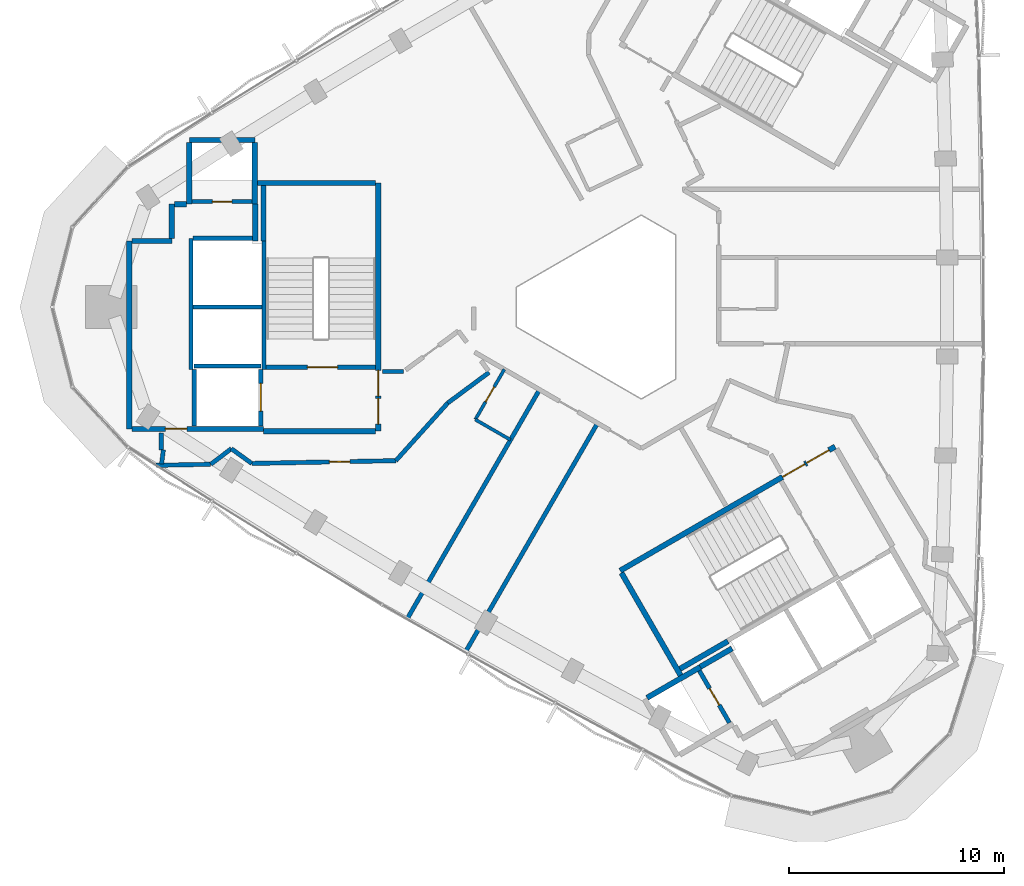
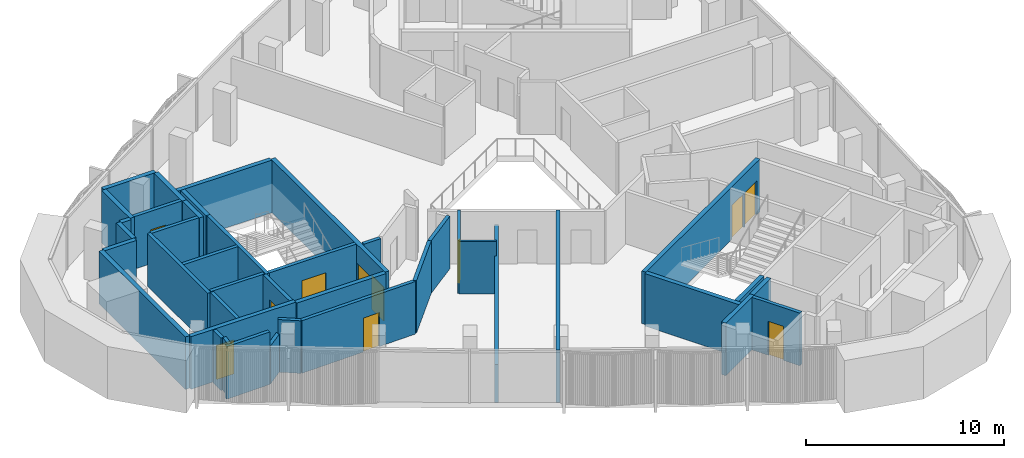
# One storey, part 6 of 12: 41 walls, 11 doors, 11 openings.
"""IFC4 building model written with IfcOpenShell, lengths in metres."""

from ifc_helpers import new_model, si_unit, direction, frame, frame_2d, origin, place, context, subcontext, project, spatial, rectangle, extrude, material, layer, layer_set, type_object, element, fill, save


model = new_model("IFC4")

# Units and contexts
model_context = context("Model", 3, precision=1e-05, world=origin(), true_north=direction((0.0, 1.0)))
body_context = subcontext(model_context, "Body", "Model", "MODEL_VIEW")
ifc_project = project(units=[si_unit("LENGTHUNIT", "METRE"), si_unit("AREAUNIT", "SQUARE_METRE"), si_unit("VOLUMEUNIT", "CUBIC_METRE"), si_unit("PLANEANGLEUNIT", "RADIAN"), si_unit("MASSUNIT", "GRAM", prefix="KILO")], contexts=[model_context])

# Site, building, storey
site_placement = place(None, origin())
site = spatial("IfcSite", under=ifc_project, at=site_placement, CompositionType="ELEMENT")
building_placement = place(site_placement, origin())
building = spatial("IfcBuilding", under=site, at=building_placement, Name="Tamra Quay Hotel Tower", CompositionType="ELEMENT")
storey_placement = place(building_placement, frame((0.0, 0.0, 269.39990234375)))
storey = spatial("IfcBuildingStorey", under=building, at=storey_placement, Name="L68", CompositionType="ELEMENT", Elevation=269.39990234375)

# Walls
ifc_material_1 = material(Name="Concrete M70", Category="concrete")
ifc_layer_1 = layer(ifc_material_1, 0.199951171875)
ifc_layer_set_1 = layer_set([ifc_layer_1], Name="Concrete M70 core wall 200")
wall_type_1 = type_object("IfcWallType", Name="Concrete M70 core wall 200", PredefinedType="SHEAR", material=ifc_layer_set_1)
wall_1_placement = place(storey_placement, frame((-16.162109375, 3.073974609375, 0.0), z_axis=(0.0, 0.0, 1.0), x_axis=(0.0, -1.0, 0.0)))
element("IfcWall", 1, at=wall_1_placement, inside=storey, type_object=wall_type_1, Name="CW2", PredefinedType="SHEAR", context=body_context, shape_type="SweptSolid", body=[
    extrude(rectangle(XDim=5.97412109375, YDim=0.199951171875, at=frame_2d((2.987060546875, 0.0))), origin(), (0.0, 0.0, 1.0), 3.25),
])
wall_2_placement = place(storey_placement, frame((-19.5625, -2.900146484375, 0.0), z_axis=(0.0, 0.0, 1.0), x_axis=(0.0, 1.0, 0.0)))
element("IfcWall", 2, at=wall_2_placement, inside=storey, type_object=wall_type_1, Name="CW2", PredefinedType="SHEAR", context=body_context, shape_type="SweptSolid", body=[
    extrude(rectangle(XDim=6.100341796875, YDim=0.199951171875, at=frame_2d((3.05029296875, 0.0))), origin(), (0.0, 0.0, 1.0), 3.25),
])

# Wall, opening, door
wall_3_placement = place(storey_placement, frame((-10.96337890625, -2.800048828125, 0.0), z_axis=(0.0, 0.0, 1.0), x_axis=(-1.0, 0.0, 0.0)))
wall_3 = element("IfcWall", 3, at=wall_3_placement, inside=storey, type_object=wall_type_1, Name="CW2", PredefinedType="SHEAR", context=body_context, shape_type="SweptSolid", body=[
    extrude(rectangle(XDim=5.097900390625, YDim=0.199951171875, at=frame_2d((2.548828125, 0.0))), origin(), (0.0, 0.0, 1.0), 3.25),
])
opening_1_placement = place(wall_3_placement, frame((1.77392578125, 0.0, 0.0)))
opening_1 = element("IfcOpeningElement", 4, at=opening_1_placement, cuts=wall_3, Name="Opening FD2", PredefinedType="OPENING", context=body_context, shape_type="SweptSolid", body=[
    extrude(rectangle(XDim=1.39990234375, YDim=2.10009765625, at=frame_2d((0.699951171875, 1.050048828125))), frame((0.0, 0.10986328125, 0.0), z_axis=(0.0, -1.0, 0.0), x_axis=(1.0, 0.0, 0.0)), (0.0, 0.0, 1.0), 0.219970703125),
])
ifc_material_2 = material(Name="Core door FD2 1400x2100 LH")
door_type_1 = type_object("IfcDoorType", Name="Core door FD2 1400x2100 LH", OperationType="NOTDEFINED", PredefinedType="DOOR", material=ifc_material_2)
door_1_placement = place(opening_1_placement, origin())
door_1 = element("IfcDoor", 5, at=door_1_placement, inside=storey, type_object=door_type_1, Name="FD2", OperationType="SINGLE_SWING_LEFT", OverallHeight=2.10009765625, OverallWidth=1.39990234375, PredefinedType="DOOR", context=body_context, shape_type="SweptSolid", body=[
    extrude(rectangle(XDim=1.39990234375, YDim=2.10009765625, at=frame_2d((0.699951171875, 1.050048828125))), frame((0.0, 0.02490234375, 0.0), z_axis=(0.0, -1.0, 0.0), x_axis=(1.0, 0.0, 0.0)), (0.0, 0.0, 1.0), 0.050048828125),
])
fill(opening_1, door_1)

# Wall
wall_4_placement = place(storey_placement, frame((-16.26318359375, 0.0, 0.0), z_axis=(0.0, 0.0, 1.0), x_axis=(-1.0, 0.0, 0.0)))
element("IfcWall", 6, at=wall_4_placement, inside=storey, type_object=wall_type_1, Name="CW2", PredefinedType="SHEAR", context=body_context, shape_type="SweptSolid", body=[
    extrude(rectangle(XDim=3.1982421875, YDim=0.199951171875, at=frame_2d((1.59912109375, 0.0))), origin(), (0.0, 0.0, 1.0), 3.25),
])

# Wall, opening, door
wall_5_placement = place(storey_placement, frame((-19.51123046875, 4.91015625, 0.0), z_axis=(0.0, 0.0, 1.0), x_axis=(1.0, 0.0, 0.0)))
wall_5 = element("IfcWall", 7, at=wall_5_placement, inside=storey, type_object=wall_type_1, Name="CW2", PredefinedType="SHEAR", context=body_context, shape_type="SweptSolid", body=[
    extrude(rectangle(XDim=2.7978515625, YDim=0.199951171875, at=frame_2d((1.39892578125, 0.0))), origin(), (0.0, 0.0, 1.0), 3.25),
])
opening_2_placement = place(wall_5_placement, frame((0.948974609375, 0.0, 0.0)))
opening_2 = element("IfcOpeningElement", 8, at=opening_2_placement, cuts=wall_5, Name="Opening D1", PredefinedType="OPENING", context=body_context, shape_type="SweptSolid", body=[
    extrude(rectangle(XDim=0.89990234375, YDim=2.10009765625, at=frame_2d((0.449951171875, 1.050048828125))), frame((0.0, 0.10986328125, 0.0), z_axis=(0.0, -1.0, 0.0), x_axis=(1.0, 0.0, 0.0)), (0.0, 0.0, 1.0), 0.219970703125),
])
ifc_material_3 = material(Name="Core door D1 900x2100 RH")
door_type_2 = type_object("IfcDoorType", Name="Core door D1 900x2100 RH", OperationType="NOTDEFINED", PredefinedType="DOOR", material=ifc_material_3)
door_2_placement = place(opening_2_placement, origin())
door_2 = element("IfcDoor", 9, at=door_2_placement, inside=storey, type_object=door_type_2, Name="D1", OperationType="SINGLE_SWING_RIGHT", OverallHeight=2.10009765625, OverallWidth=0.89990234375, PredefinedType="DOOR", context=body_context, shape_type="SweptSolid", body=[
    extrude(rectangle(XDim=0.89990234375, YDim=2.10009765625, at=frame_2d((0.449951171875, 1.050048828125))), frame((0.0, 0.02490234375, 0.0), z_axis=(0.0, -1.0, 0.0), x_axis=(1.0, 0.0, 0.0)), (0.0, 0.0, 1.0), 0.050048828125),
])
fill(opening_2, door_2)

# Walls
wall_6_placement = place(storey_placement, frame((-19.46240234375, 3.2001953125, 0.0), z_axis=(0.0, 0.0, 1.0), x_axis=(1.0, 0.0, 0.0)))
element("IfcWall", 10, at=wall_6_placement, inside=storey, type_object=wall_type_1, Name="CW2", PredefinedType="SHEAR", context=body_context, shape_type="SweptSolid", body=[
    extrude(rectangle(XDim=2.759033203125, YDim=0.199951171875, at=frame_2d((1.37939453125, 0.0))), origin(), (0.0, 0.0, 1.0), 3.25),
])
wall_7_placement = place(storey_placement, frame((-19.412353515625, -2.75, 0.0), z_axis=(0.0, 0.0, 1.0), x_axis=(1.0, 0.0, 0.0)))
element("IfcWall", 11, at=wall_7_placement, inside=storey, type_object=wall_type_1, Name="CW2", PredefinedType="SHEAR", context=body_context, shape_type="SweptSolid", body=[
    extrude(rectangle(XDim=3.10009765625, YDim=0.199951171875, at=frame_2d((1.550048828125, 0.0))), origin(), (0.0, 0.0, 1.0), 3.25),
])

# Wall, opening, door
wall_8_placement = place(storey_placement, frame((-16.312255859375, -2.898193359375, 0.0), z_axis=(0.0, 0.0, 1.0), x_axis=(0.0, -1.0, 0.0)))
wall_8 = element("IfcWall", 12, at=wall_8_placement, inside=storey, type_object=wall_type_1, Name="CW2", PredefinedType="SHEAR", context=body_context, shape_type="SweptSolid", body=[
    extrude(rectangle(XDim=2.65087890625, YDim=0.199951171875, at=frame_2d((1.325439453125, 0.0))), origin(), (0.0, 0.0, 1.0), 3.25),
])
opening_3_placement = place(wall_8_placement, frame((0.65185546875, 0.0, 0.0)))
opening_3 = element("IfcOpeningElement", 13, at=opening_3_placement, cuts=wall_8, Name="Opening LD", PredefinedType="OPENING", context=body_context, shape_type="SweptSolid", body=[
    extrude(rectangle(XDim=1.300048828125, YDim=2.10009765625, at=frame_2d((0.64990234375, 1.050048828125))), frame((0.0, 0.10986328125, 0.0), z_axis=(0.0, -1.0, 0.0), x_axis=(1.0, 0.0, 0.0)), (0.0, 0.0, 1.0), 0.219970703125),
])
ifc_material_4 = material(Name="Landing door LD 1300 sliding to left")
door_type_3 = type_object("IfcDoorType", Name="Landing door LD 1300 sliding to left", OperationType="NOTDEFINED", PredefinedType="DOOR", material=ifc_material_4)
door_3_placement = place(opening_3_placement, origin())
door_3 = element("IfcDoor", 14, at=door_3_placement, inside=storey, type_object=door_type_3, Name="LD", OperationType="SLIDING_TO_LEFT", OverallHeight=2.10009765625, OverallWidth=1.300048828125, PredefinedType="DOOR", context=body_context, shape_type="SweptSolid", body=[
    extrude(rectangle(XDim=1.300048828125, YDim=2.10009765625, at=frame_2d((0.64990234375, 1.050048828125))), frame((0.0, 0.02490234375, 0.0), z_axis=(0.0, -1.0, 0.0), x_axis=(1.0, 0.0, 0.0)), (0.0, 0.0, 1.0), 0.050048828125),
])
fill(opening_3, door_3)

# Wall
wall_9_placement = place(storey_placement, frame((-19.412353515625, -5.549072265625, 0.0), z_axis=(0.0, 0.0, 1.0), x_axis=(0.0, 1.0, 0.0)))
element("IfcWall", 15, at=wall_9_placement, inside=storey, type_object=wall_type_1, Name="CW2", PredefinedType="SHEAR", context=body_context, shape_type="SweptSolid", body=[
    extrude(rectangle(XDim=2.65087890625, YDim=0.199951171875, at=frame_2d((1.325439453125, 0.0))), origin(), (0.0, 0.0, 1.0), 3.25),
])

# Wall, opening, door
wall_10_placement = place(storey_placement, frame((5.50341796875, -19.352294921875, 0.0), z_axis=(0.0, 0.0, 1.0), x_axis=(-0.499986818241, 0.866033014143, 0.0)))
wall_10 = element("IfcWall", 16, at=wall_10_placement, inside=storey, type_object=wall_type_1, Name="CW2", PredefinedType="SHEAR", context=body_context, shape_type="SweptSolid", body=[
    extrude(rectangle(XDim=2.7978515625, YDim=0.199951171875, at=frame_2d((1.39892578125, 0.0))), origin(), (0.0, 0.0, 1.0), 3.25),
])
opening_4_placement = place(wall_10_placement, frame((0.948974609375, 0.0, 0.0)))
opening_4 = element("IfcOpeningElement", 17, at=opening_4_placement, cuts=wall_10, Name="Opening D1", PredefinedType="OPENING", context=body_context, shape_type="SweptSolid", body=[
    extrude(rectangle(XDim=0.89990234375, YDim=2.10009765625, at=frame_2d((0.449951171875, 1.050048828125))), frame((0.0, 0.10986328125, 0.0), z_axis=(0.0, -1.0, 0.0), x_axis=(1.0, 0.0, 0.0)), (0.0, 0.0, 1.0), 0.219970703125),
])
ifc_material_5 = material(Name="Core door D1 900x2100 LH")
door_type_4 = type_object("IfcDoorType", Name="Core door D1 900x2100 LH", OperationType="NOTDEFINED", PredefinedType="DOOR", material=ifc_material_5)
door_4_placement = place(opening_4_placement, origin())
door_4 = element("IfcDoor", 18, at=door_4_placement, inside=storey, type_object=door_type_4, Name="D1", OperationType="SINGLE_SWING_LEFT", OverallHeight=2.10009765625, OverallWidth=0.89990234375, PredefinedType="DOOR", context=body_context, shape_type="SweptSolid", body=[
    extrude(rectangle(XDim=0.89990234375, YDim=2.10009765625, at=frame_2d((0.449951171875, 1.050048828125))), frame((0.0, 0.02490234375, 0.0), z_axis=(0.0, -1.0, 0.0), x_axis=(1.0, 0.0, 0.0)), (0.0, 0.0, 1.0), 0.050048828125),
])
fill(opening_4, door_4)

# Wall, openings, doors
ifc_layer_2 = layer(ifc_material_1, 0.25)
ifc_layer_set_2 = layer_set([ifc_layer_2], Name="Concrete M70 core wall 250")
wall_type_2 = type_object("IfcWallType", Name="Concrete M70 core wall 250", PredefinedType="SHEAR", material=ifc_layer_set_2)
wall_11_placement = place(storey_placement, frame((-10.83740234375, 5.77490234375, 0.0), z_axis=(0.0, 0.0, 1.0), x_axis=(0.0, -1.0, 0.0)))
wall_11 = element("IfcWall", 19, at=wall_11_placement, inside=storey, type_object=wall_type_2, Name="CW1", PredefinedType="SHEAR", context=body_context, shape_type="SweptSolid", body=[
    extrude(rectangle(XDim=11.5498046875, YDim=0.25, at=frame_2d((5.77490234375, 0.0))), origin(), (0.0, 0.0, 1.0), 3.25),
])
opening_5_placement = place(wall_11_placement, frame((10.02490234375, 0.0, 0.0)))
opening_5 = element("IfcOpeningElement", 20, at=opening_5_placement, cuts=wall_11, Name="Opening FD1", PredefinedType="OPENING", context=body_context, shape_type="SweptSolid", body=[
    extrude(rectangle(XDim=1.199951171875, YDim=2.10009765625, at=frame_2d((0.60009765625, 1.050048828125))), frame((0.0, 0.135009765625, 0.0), z_axis=(0.0, -1.0, 0.0), x_axis=(1.0, 0.0, 0.0)), (0.0, 0.0, 1.0), 0.27001953125),
])
opening_6_placement = place(wall_11_placement, frame((8.72509765625, 0.0, 0.0)))
opening_6 = element("IfcOpeningElement", 21, at=opening_6_placement, cuts=wall_11, Name="Opening FD1", PredefinedType="OPENING", context=body_context, shape_type="SweptSolid", body=[
    extrude(rectangle(XDim=1.199951171875, YDim=2.10009765625, at=frame_2d((0.60009765625, 1.050048828125))), frame((0.0, 0.135009765625, 0.0), z_axis=(0.0, -1.0, 0.0), x_axis=(1.0, 0.0, 0.0)), (0.0, 0.0, 1.0), 0.27001953125),
])
ifc_material_6 = material(Name="Core door FD1 1200x2100 LH")
door_type_5 = type_object("IfcDoorType", Name="Core door FD1 1200x2100 LH", OperationType="NOTDEFINED", PredefinedType="DOOR", material=ifc_material_6)
door_5_placement = place(opening_5_placement, origin())
door_5 = element("IfcDoor", 22, at=door_5_placement, inside=storey, type_object=door_type_5, Name="FD1", OperationType="SINGLE_SWING_LEFT", OverallHeight=2.10009765625, OverallWidth=1.199951171875, PredefinedType="DOOR", context=body_context, shape_type="SweptSolid", body=[
    extrude(rectangle(XDim=1.199951171875, YDim=2.10009765625, at=frame_2d((0.60009765625, 1.050048828125))), frame((0.0, 0.02490234375, 0.0), z_axis=(0.0, -1.0, 0.0), x_axis=(1.0, 0.0, 0.0)), (0.0, 0.0, 1.0), 0.050048828125),
])
fill(opening_5, door_5)
ifc_material_7 = material(Name="Core door FD1 1200x2100 RH")
door_type_6 = type_object("IfcDoorType", Name="Core door FD1 1200x2100 RH", OperationType="NOTDEFINED", PredefinedType="DOOR", material=ifc_material_7)
door_6_placement = place(opening_6_placement, origin())
door_6 = element("IfcDoor", 23, at=door_6_placement, inside=storey, type_object=door_type_6, Name="FD1", OperationType="SINGLE_SWING_RIGHT", OverallHeight=2.10009765625, OverallWidth=1.199951171875, PredefinedType="DOOR", context=body_context, shape_type="SweptSolid", body=[
    extrude(rectangle(XDim=1.199951171875, YDim=2.10009765625, at=frame_2d((0.60009765625, 1.050048828125))), frame((0.0, 0.02490234375, 0.0), z_axis=(0.0, -1.0, 0.0), x_axis=(1.0, 0.0, 0.0)), (0.0, 0.0, 1.0), 0.050048828125),
])
fill(opening_6, door_6)

# Wall
wall_12_placement = place(storey_placement, frame((-22.437255859375, -5.675048828125, 0.0), z_axis=(0.0, 0.0, 1.0), x_axis=(0.0, 1.0, 0.0)))
element("IfcWall", 24, at=wall_12_placement, inside=storey, type_object=wall_type_2, Name="CW1", PredefinedType="SHEAR", context=body_context, shape_type="SweptSolid", body=[
    extrude(rectangle(XDim=8.75, YDim=0.25, at=frame_2d((4.375, 0.0))), origin(), (0.0, 0.0, 1.0), 3.25),
])

# Wall, opening, door
wall_13_placement = place(storey_placement, frame((-16.187255859375, -5.675048828125, 0.0), z_axis=(0.0, 0.0, 1.0), x_axis=(-1.0, 0.0, 0.0)))
wall_13 = element("IfcWall", 25, at=wall_13_placement, inside=storey, type_object=wall_type_2, Name="CW1", PredefinedType="SHEAR", context=body_context, shape_type="SweptSolid", body=[
    extrude(rectangle(XDim=6.12451171875, YDim=0.25, at=frame_2d((3.062255859375, 0.0))), origin(), (0.0, 0.0, 1.0), 3.25),
])
opening_7_placement = place(wall_13_placement, frame((3.562744140625, 0.0, 0.0)))
opening_7 = element("IfcOpeningElement", 26, at=opening_7_placement, cuts=wall_13, Name="Opening FD3", PredefinedType="OPENING", context=body_context, shape_type="SweptSolid", body=[
    extrude(rectangle(XDim=1.0, YDim=2.10009765625, at=frame_2d((0.5, 1.050048828125))), frame((0.0, 0.135009765625, 0.0), z_axis=(0.0, -1.0, 0.0), x_axis=(1.0, 0.0, 0.0)), (0.0, 0.0, 1.0), 0.27001953125),
])
ifc_material_8 = material(Name="Core door FD3 1000x2100 LH")
door_type_7 = type_object("IfcDoorType", Name="Core door FD3 1000x2100 LH", OperationType="NOTDEFINED", PredefinedType="DOOR", material=ifc_material_8)
door_7_placement = place(opening_7_placement, origin())
door_7 = element("IfcDoor", 27, at=door_7_placement, inside=storey, type_object=door_type_7, Name="FD3", OperationType="SINGLE_SWING_LEFT", OverallHeight=2.10009765625, OverallWidth=1.0, PredefinedType="DOOR", context=body_context, shape_type="SweptSolid", body=[
    extrude(rectangle(XDim=1.0, YDim=2.10009765625, at=frame_2d((0.5, 1.050048828125))), frame((0.0, 0.02490234375, 0.0), z_axis=(0.0, -1.0, 0.0), x_axis=(1.0, 0.0, 0.0)), (0.0, 0.0, 1.0), 0.050048828125),
])
fill(opening_7, door_7)

# Walls
wall_14_placement = place(storey_placement, frame((-10.962646484375, -5.77490234375, 0.0), z_axis=(0.0, 0.0, 1.0), x_axis=(-1.0, 0.0, 0.0)))
element("IfcWall", 28, at=wall_14_placement, inside=storey, type_object=wall_type_2, Name="CW1", PredefinedType="SHEAR", context=body_context, shape_type="SweptSolid", body=[
    extrude(rectangle(XDim=5.224609375, YDim=0.25, at=frame_2d((2.6123046875, 0.0))), origin(), (0.0, 0.0, 1.0), 3.25),
])
wall_15_placement = place(storey_placement, frame((-16.47216796875, 5.77490234375, 0.0), z_axis=(0.0, 0.0, 1.0), x_axis=(1.0, 0.0, 0.0)))
element("IfcWall", 29, at=wall_15_placement, inside=storey, type_object=wall_type_2, Name="CW1", PredefinedType="SHEAR", context=body_context, shape_type="SweptSolid", body=[
    extrude(rectangle(XDim=5.509521484375, YDim=0.25, at=frame_2d((2.7548828125, 0.0))), origin(), (0.0, 0.0, 1.0), 3.25),
])
wall_16_placement = place(storey_placement, frame((-19.63720703125, 7.77490234375, 0.0), z_axis=(0.0, 0.0, 1.0), x_axis=(1.0, 0.0, 0.0)))
element("IfcWall", 30, at=wall_16_placement, inside=storey, type_object=wall_type_2, Name="CW1", PredefinedType="SHEAR", context=body_context, shape_type="SweptSolid", body=[
    extrude(rectangle(XDim=3.0498046875, YDim=0.25, at=frame_2d((1.52490234375, 0.0))), origin(), (0.0, 0.0, 1.0), 3.25),
])
for number, where, z_axis, x_axis, name in (
    (31, (-16.58740234375, 7.649658203125, 0.0), (0.0, 0.0, 1.0), (0.0, -1.0, 0.0), "CW1"),
    (32, (-19.63720703125, 4.784912109375, 0.0), (0.0, 0.0, 1.0), (0.0, 1.0, 0.0), "CW1"),
):
    element("IfcWall", number, at=place(storey_placement, frame(where, z_axis=z_axis, x_axis=x_axis)), inside=storey, type_object=wall_type_2, Name=name, PredefinedType="SHEAR", context=body_context, shape_type="SweptSolid", body=[
        extrude(rectangle(XDim=2.86474609375, YDim=0.25, at=frame_2d((1.432373046875, 0.0))), origin(), (0.0, 0.0, 1.0), 3.25),
    ])
wall_17_placement = place(storey_placement, frame((-16.187255859375, 3.074951171875, 0.0), z_axis=(0.0, 0.0, 1.0), x_axis=(0.0, 1.0, 0.0)))
element("IfcWall", 33, at=wall_17_placement, inside=storey, type_object=wall_type_2, Name="CW1", PredefinedType="SHEAR", context=body_context, shape_type="SweptSolid", body=[
    extrude(rectangle(XDim=2.57470703125, YDim=0.25, at=frame_2d((1.287353515625, 0.0))), origin(), (0.0, 0.0, 1.0), 3.25),
])
wall_18_placement = place(storey_placement, frame((-22.311767578125, 3.074951171875, 0.0), z_axis=(0.0, 0.0, 1.0), x_axis=(1.0, 0.0, 0.0)))
element("IfcWall", 34, at=wall_18_placement, inside=storey, type_object=wall_type_2, Name="CW1", PredefinedType="SHEAR", context=body_context, shape_type="SweptSolid", body=[
    extrude(rectangle(XDim=1.864501953125, YDim=0.25, at=frame_2d((0.93212890625, 0.0))), origin(), (0.0, 0.0, 1.0), 3.25),
])
wall_19_placement = place(storey_placement, frame((-16.577392578125, 4.784912109375, 0.0), z_axis=(0.0, 0.0, 1.0), x_axis=(0.0, -1.0, 0.0)))
element("IfcWall", 35, at=wall_19_placement, inside=storey, type_object=wall_type_2, Name="CW1", PredefinedType="SHEAR", context=body_context, shape_type="SweptSolid", body=[
    extrude(rectangle(XDim=1.7099609375, YDim=0.25, at=frame_2d((0.85498046875, 0.0))), origin(), (0.0, 0.0, 1.0), 3.25),
])
wall_20_placement = place(storey_placement, frame((-20.447265625, 3.200439453125, 0.0), z_axis=(0.0, 0.0, 1.0), x_axis=(0.0, 1.0, 0.0)))
element("IfcWall", 36, at=wall_20_placement, inside=storey, type_object=wall_type_2, Name="CW1", PredefinedType="SHEAR", context=body_context, shape_type="SweptSolid", body=[
    extrude(rectangle(XDim=1.58447265625, YDim=0.25, at=frame_2d((0.792236328125, 0.0))), origin(), (0.0, 0.0, 1.0), 3.25),
])
wall_21_placement = place(storey_placement, frame((-20.32177734375, 4.784912109375, 0.0), z_axis=(0.0, 0.0, 1.0), x_axis=(1.0, 0.0, 0.0)))
element("IfcWall", 37, at=wall_21_placement, inside=storey, type_object=wall_type_2, Name="CW1", PredefinedType="SHEAR", context=body_context, shape_type="SweptSolid", body=[
    extrude(rectangle(XDim=0.55908203125, YDim=0.25, at=frame_2d((0.279541015625, 0.0))), origin(), (0.0, 0.0, 1.0), 3.25),
])

# Wall, openings, doors
wall_22_placement = place(storey_placement, frame((0.417236328125, -12.27294921875, 0.0), z_axis=(0.0, 0.0, 1.0), x_axis=(0.866021906294, 0.500006057782, 0.0)))
wall_22 = element("IfcWall", 38, at=wall_22_placement, inside=storey, type_object=wall_type_2, Name="CW1", PredefinedType="SHEAR", context=body_context, shape_type="SweptSolid", body=[
    extrude(rectangle(XDim=11.550048828125, YDim=0.25, at=frame_2d((5.77490234375, 0.0))), origin(), (0.0, 0.0, 1.0), 3.25),
])
opening_8_placement = place(wall_22_placement, frame((10.024658203125, 0.0, 0.0)))
opening_8 = element("IfcOpeningElement", 39, at=opening_8_placement, cuts=wall_22, Name="Opening FD1", PredefinedType="OPENING", context=body_context, shape_type="SweptSolid", body=[
    extrude(rectangle(XDim=1.199951171875, YDim=2.10009765625, at=frame_2d((0.60009765625, 1.050048828125))), frame((0.0, 0.135009765625, 0.0), z_axis=(0.0, -1.0, 0.0), x_axis=(1.0, 0.0, 0.0)), (0.0, 0.0, 1.0), 0.27001953125),
])
opening_9_placement = place(wall_22_placement, frame((8.724609375, 0.0, 0.0)))
opening_9 = element("IfcOpeningElement", 40, at=opening_9_placement, cuts=wall_22, Name="Opening FD1", PredefinedType="OPENING", context=body_context, shape_type="SweptSolid", body=[
    extrude(rectangle(XDim=1.199951171875, YDim=2.10009765625, at=frame_2d((0.60009765625, 1.050048828125))), frame((0.0, 0.135009765625, 0.0), z_axis=(0.0, -1.0, 0.0), x_axis=(1.0, 0.0, 0.0)), (0.0, 0.0, 1.0), 0.27001953125),
])
door_8_placement = place(opening_8_placement, origin())
door_8 = element("IfcDoor", 41, at=door_8_placement, inside=storey, type_object=door_type_5, Name="FD1", OperationType="SINGLE_SWING_LEFT", OverallHeight=2.10009765625, OverallWidth=1.199951171875, PredefinedType="DOOR", context=body_context, shape_type="SweptSolid", body=[
    extrude(rectangle(XDim=1.199951171875, YDim=2.10009765625, at=frame_2d((0.60009765625, 1.050048828125))), frame((0.0, 0.02490234375, 0.0), z_axis=(0.0, -1.0, 0.0), x_axis=(1.0, 0.0, 0.0)), (0.0, 0.0, 1.0), 0.050048828125),
])
fill(opening_8, door_8)
door_9_placement = place(opening_9_placement, origin())
door_9 = element("IfcDoor", 42, at=door_9_placement, inside=storey, type_object=door_type_6, Name="FD1", OperationType="SINGLE_SWING_RIGHT", OverallHeight=2.10009765625, OverallWidth=1.199951171875, PredefinedType="DOOR", context=body_context, shape_type="SweptSolid", body=[
    extrude(rectangle(XDim=1.199951171875, YDim=2.10009765625, at=frame_2d((0.60009765625, 1.050048828125))), frame((0.0, 0.02490234375, 0.0), z_axis=(0.0, -1.0, 0.0), x_axis=(1.0, 0.0, 0.0)), (0.0, 0.0, 1.0), 0.050048828125),
])
fill(opening_9, door_9)

# Walls
wall_23_placement = place(storey_placement, frame((3.23486328125, -17.15283203125, 0.0), z_axis=(0.0, 0.0, 1.0), x_axis=(-0.500008851346, 0.866020293397, 0.0)))
element("IfcWall", 43, at=wall_23_placement, inside=storey, type_object=wall_type_2, Name="CW1", PredefinedType="SHEAR", context=body_context, shape_type="SweptSolid", body=[
    extrude(rectangle(XDim=5.509765625, YDim=0.25, at=frame_2d((2.7548828125, 0.0))), origin(), (0.0, 0.0, 1.0), 3.25),
])
wall_24_placement = place(storey_placement, frame((1.6689453125, -18.189697265625, 0.0), z_axis=(0.0, 0.0, 1.0), x_axis=(0.866042235819, 0.499970844928, 0.0)))
element("IfcWall", 44, at=wall_24_placement, inside=storey, type_object=wall_type_2, Name="CW1", PredefinedType="SHEAR", context=body_context, shape_type="SweptSolid", body=[
    extrude(rectangle(XDim=2.864501953125, YDim=0.25, at=frame_2d((1.43212890625, 0.0))), origin(), (0.0, 0.0, 1.0), 3.25),
])
wall_25_placement = place(storey_placement, frame((5.4306640625, -15.55615234375, 0.0), z_axis=(0.0, 0.0, 1.0), x_axis=(-0.866022940537, -0.500004266446, 0.0)))
element("IfcWall", 45, at=wall_25_placement, inside=storey, type_object=wall_type_2, Name="CW1", PredefinedType="SHEAR", context=body_context, shape_type="SweptSolid", body=[
    extrude(rectangle(XDim=2.57470703125, YDim=0.25, at=frame_2d((1.287353515625, 0.0))), origin(), (0.0, 0.0, 1.0), 3.25),
])
wall_26_placement = place(storey_placement, frame((4.144775390625, -16.748779296875, 0.0), z_axis=(0.0, 0.0, 1.0), x_axis=(0.866038183914, 0.499977863513, 0.0)))
element("IfcWall", 46, at=wall_26_placement, inside=storey, type_object=wall_type_2, Name="CW1", PredefinedType="SHEAR", context=body_context, shape_type="SweptSolid", body=[
    extrude(rectangle(XDim=1.7099609375, YDim=0.25, at=frame_2d((0.85498046875, 0.0))), origin(), (0.0, 0.0, 1.0), 3.25),
])
ifc_material_9 = material(Name="Partition corridor wall")
ifc_layer_3 = layer(ifc_material_9, 0.199951171875)
ifc_layer_set_3 = layer_set([ifc_layer_3], Name="Partition corridor wall")
wall_type_3 = type_object("IfcWallType", Name="Partition corridor wall", PredefinedType="PARTITIONING", material=ifc_layer_set_3)
wall_27_placement = place(storey_placement, frame((-20.949951171875, -6.64990234375, 0.0), z_axis=(0.0, 0.0, 1.0), x_axis=(0.0, 1.0, 0.0)))
element("IfcWall", 47, at=wall_27_placement, inside=storey, type_object=wall_type_3, Name="W-C", PredefinedType="PARTITIONING", context=body_context, shape_type="SweptSolid", body=[
    extrude(rectangle(XDim=0.789794921875, YDim=0.199951171875, at=frame_2d((0.39501953125, 0.0))), origin(), (0.0, 0.0, 1.0), 3.25),
])
wall_28_placement = place(storey_placement, frame((-20.928955078125, -7.305908203125, 0.0), z_axis=(0.0, 0.0, 1.0), x_axis=(0.125534186853, 0.992089294334, 0.0)))
element("IfcWall", 48, at=wall_28_placement, inside=storey, type_object=wall_type_3, Name="W-C", PredefinedType="PARTITIONING", context=body_context, shape_type="SweptSolid", body=[
    extrude(rectangle(XDim=0.6611328125, YDim=0.199951171875, at=frame_2d((0.33056640625, 0.0))), origin(), (0.0, 0.0, 1.0), 3.25),
])
wall_29_placement = place(storey_placement, frame((-21.177001953125, -7.368896484375, 0.0), z_axis=(0.0, 0.0, 1.0), x_axis=(0.999808930271, 0.019547453804, 0.0)))
element("IfcWall", 49, at=wall_29_placement, inside=storey, type_object=wall_type_3, Name="W-C", PredefinedType="PARTITIONING", context=body_context, shape_type="SweptSolid", body=[
    extrude(rectangle(XDim=2.535400390625, YDim=0.199951171875, at=frame_2d((1.267578125, 0.0))), origin(), (0.0, 0.0, 1.0), 3.25),
])
wall_30_placement = place(storey_placement, frame((-18.64208984375, -7.319091796875, 0.0), z_axis=(0.0, 0.0, 1.0), x_axis=(0.798707882989, 0.601718968998, 0.0)))
element("IfcWall", 50, at=wall_30_placement, inside=storey, type_object=wall_type_3, Name="W-C", PredefinedType="PARTITIONING", context=body_context, shape_type="SweptSolid", body=[
    extrude(rectangle(XDim=1.203369140625, YDim=0.199951171875, at=frame_2d((0.6015625, 0.0))), origin(), (0.0, 0.0, 1.0), 2.35009765625),
])
wall_31_placement = place(storey_placement, frame((-17.680908203125, -6.594970703125, 0.0), z_axis=(0.0, 0.0, 1.0), x_axis=(0.810123213102, -0.586259652026, 0.0)))
element("IfcWall", 51, at=wall_31_placement, inside=storey, type_object=wall_type_3, Name="W-C", PredefinedType="PARTITIONING", context=body_context, shape_type="SweptSolid", body=[
    extrude(rectangle(XDim=1.170166015625, YDim=0.199951171875, at=frame_2d((0.5849609375, 0.0))), origin(), (0.0, 0.0, 1.0), 3.25),
])

# Wall, opening, door
wall_32_placement = place(storey_placement, frame((-16.73193359375, -7.281982421875, 0.0), z_axis=(0.0, 0.0, 1.0), x_axis=(0.999809119854, 0.019537754635, 0.0)))
wall_32 = element("IfcWall", 52, at=wall_32_placement, inside=storey, type_object=wall_type_3, Name="W-C", PredefinedType="PARTITIONING", context=body_context, shape_type="SweptSolid", body=[
    extrude(rectangle(XDim=6.710205078125, YDim=0.199951171875, at=frame_2d((3.35498046875, 0.0))), origin(), (0.0, 0.0, 1.0), 3.25),
])
opening_10_placement = place(wall_32_placement, frame((3.619384765625, 0.0, 0.0)))
opening_10 = element("IfcOpeningElement", 53, at=opening_10_placement, cuts=wall_32, Name="Opening L68-D011", PredefinedType="OPENING", context=body_context, shape_type="SweptSolid", body=[
    extrude(rectangle(XDim=0.949951171875, YDim=2.10009765625, at=frame_2d((0.47509765625, 1.050048828125))), frame((0.0, 0.10986328125, 0.0), z_axis=(0.0, -1.0, 0.0), x_axis=(1.0, 0.0, 0.0)), (0.0, 0.0, 1.0), 0.219970703125),
])
ifc_material_10 = material(Name="Door guest room 950x2100")
door_type_8 = type_object("IfcDoorType", Name="Door guest room 950x2100", OperationType="NOTDEFINED", PredefinedType="DOOR", material=ifc_material_10)
door_10_placement = place(opening_10_placement, frame((0.949951171875, 0.0, 0.0), z_axis=(0.0, 0.0, 1.0), x_axis=(-1.0, 0.0, 0.0)))
door_10 = element("IfcDoor", 54, at=door_10_placement, inside=storey, type_object=door_type_8, Name="L68-D011", OperationType="SINGLE_SWING_LEFT", OverallHeight=2.10009765625, OverallWidth=0.949951171875, PredefinedType="DOOR", context=body_context, shape_type="SweptSolid", body=[
    extrude(rectangle(XDim=0.949951171875, YDim=2.10009765625, at=frame_2d((0.47509765625, 1.050048828125))), frame((0.0, 0.02490234375, 0.0), z_axis=(0.0, -1.0, 0.0), x_axis=(1.0, 0.0, 0.0)), (0.0, 0.0, 1.0), 0.050048828125),
])
fill(opening_10, door_10)

# Walls
wall_33_placement = place(storey_placement, frame((-10.65234375, -3.0, 0.0), z_axis=(0.0, 0.0, 1.0), x_axis=(1.0, 0.0, 0.0)))
element("IfcWall", 55, at=wall_33_placement, inside=storey, type_object=wall_type_3, Name="W-C", PredefinedType="PARTITIONING", context=body_context, shape_type="SweptSolid", body=[
    extrude(rectangle(XDim=0.994384765625, YDim=0.199951171875, at=frame_2d((0.4970703125, 0.0))), origin(), (0.0, 0.0, 1.0), 3.25),
])
wall_34_placement = place(storey_placement, frame((-10.02294921875, -7.15087890625, 0.0), z_axis=(0.0, 0.0, 1.0), x_axis=(0.668886243279, 0.743364778256, 0.0)))
element("IfcWall", 56, at=wall_34_placement, inside=storey, type_object=wall_type_3, Name="W-C", PredefinedType="PARTITIONING", context=body_context, shape_type="SweptSolid", body=[
    extrude(rectangle(XDim=3.609130859375, YDim=0.199951171875, at=frame_2d((1.8046875, 0.0))), origin(), (0.0, 0.0, 1.0), 3.25),
])
wall_35_placement = place(storey_placement, frame((-7.60888671875, -4.468017578125, 0.0), z_axis=(0.0, 0.0, 1.0), x_axis=(0.803414413351, 0.595420255298, 0.0)))
element("IfcWall", 57, at=wall_35_placement, inside=storey, type_object=wall_type_3, Name="W-C", PredefinedType="PARTITIONING", context=body_context, shape_type="SweptSolid", body=[
    extrude(rectangle(XDim=2.393310546875, YDim=0.199951171875, at=frame_2d((1.19677734375, 0.0))), origin(), (0.0, 0.0, 1.0), 3.25),
])

# Wall, opening, door
ifc_material_11 = material(Name="Partition en-suite wall")
ifc_layer_4 = layer(ifc_material_11, 0.14990234375)
ifc_layer_set_4 = layer_set([ifc_layer_4], Name="Partition en-suite wall")
wall_type_4 = type_object("IfcWallType", Name="Partition en-suite wall", PredefinedType="PARTITIONING", material=ifc_layer_set_4)
wall_36_placement = place(storey_placement, frame((-6.323974609375, -5.237060546875, 0.0), z_axis=(0.0, 0.0, 1.0), x_axis=(0.500294180644, 0.865855491877, 0.0)))
wall_36 = element("IfcWall", 58, at=wall_36_placement, inside=storey, type_object=wall_type_4, Name="W-E", PredefinedType="PARTITIONING", context=body_context, shape_type="SweptSolid", body=[
    extrude(rectangle(XDim=2.697998046875, YDim=0.14990234375, at=frame_2d((1.34912109375, 0.0))), origin(), (0.0, 0.0, 1.0), 3.25),
])
opening_11_placement = place(wall_36_placement, frame((0.947509765625, 0.0, 0.0)))
opening_11 = element("IfcOpeningElement", 59, at=opening_11_placement, cuts=wall_36, Name="Opening L68-D012", PredefinedType="OPENING", context=body_context, shape_type="SweptSolid", body=[
    extrude(rectangle(XDim=0.800048828125, YDim=2.10009765625, at=frame_2d((0.39990234375, 1.050048828125))), frame((0.0, 0.0849609375, 0.0), z_axis=(0.0, -1.0, 0.0), x_axis=(1.0, 0.0, 0.0)), (0.0, 0.0, 1.0), 0.169921875),
])
ifc_material_12 = material(Name="Door en-suite 800x2100")
door_type_9 = type_object("IfcDoorType", Name="Door en-suite 800x2100", OperationType="NOTDEFINED", PredefinedType="DOOR", material=ifc_material_12)
door_11_placement = place(opening_11_placement, origin())
door_11 = element("IfcDoor", 60, at=door_11_placement, inside=storey, type_object=door_type_9, Name="L68-D012", OperationType="SINGLE_SWING_LEFT", OverallHeight=2.10009765625, OverallWidth=0.800048828125, PredefinedType="DOOR", context=body_context, shape_type="SweptSolid", body=[
    extrude(rectangle(XDim=0.800048828125, YDim=2.10009765625, at=frame_2d((0.39990234375, 1.050048828125))), frame((0.0, 0.02490234375, 0.0), z_axis=(0.0, -1.0, 0.0), x_axis=(1.0, 0.0, 0.0)), (0.0, 0.0, 1.0), 0.050048828125),
])
fill(opening_11, door_11)

# Walls
wall_37_placement = place(storey_placement, frame((-6.322998046875, -5.239990234375, 0.0), z_axis=(0.0, 0.0, 1.0), x_axis=(0.865998231832, -0.50004706025, 0.0)))
element("IfcWall", 61, at=wall_37_placement, inside=storey, type_object=wall_type_4, Name="W-E", PredefinedType="PARTITIONING", context=body_context, shape_type="SweptSolid", body=[
    extrude(rectangle(XDim=1.887939453125, YDim=0.14990234375, at=frame_2d((0.94384765625, 0.0))), origin(), (0.0, 0.0, 1.0), 3.25),
])
ifc_material_13 = material(Name="Partition party wall")
ifc_layer_5 = layer(ifc_material_13, 0.199951171875)
ifc_layer_set_5 = layer_set([ifc_layer_5], Name="Partition party wall")
wall_type_5 = type_object("IfcWallType", Name="Partition party wall", PredefinedType="PARTITIONING", material=ifc_layer_set_5)
wall_38_placement = place(storey_placement, frame((-9.501220703125, -14.5244140625, 0.0), z_axis=(0.0, 0.0, 1.0), x_axis=(0.499964147476, 0.86604610226, 0.0)))
element("IfcWall", 62, at=wall_38_placement, inside=storey, type_object=wall_type_5, Name="W-P", PredefinedType="PARTITIONING", context=body_context, shape_type="SweptSolid", body=[
    extrude(rectangle(XDim=12.3291015625, YDim=0.199951171875, at=frame_2d((6.16455078125, 0.0))), origin(), (0.0, 0.0, 1.0), 2.35009765625),
])
wall_39_placement = place(storey_placement, frame((-6.799560546875, -16.084228515625, 0.0), z_axis=(0.0, 0.0, 1.0), x_axis=(0.500002425662, 0.866024003323, 0.0)))
element("IfcWall", 63, at=wall_39_placement, inside=storey, type_object=wall_type_5, Name="W-P", PredefinedType="PARTITIONING", context=body_context, shape_type="SweptSolid", body=[
    extrude(rectangle(XDim=12.3291015625, YDim=0.199951171875, at=frame_2d((6.16455078125, 0.0))), origin(), (0.0, 0.0, 1.0), 3.25),
])

save(model, "model.ifc")
